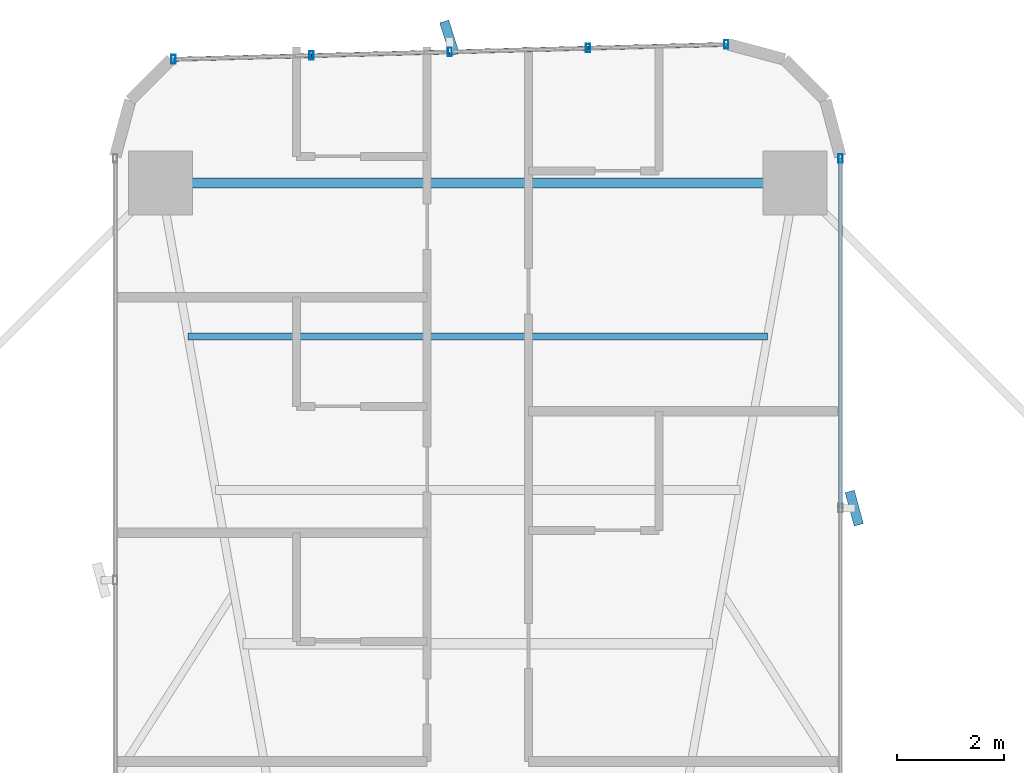
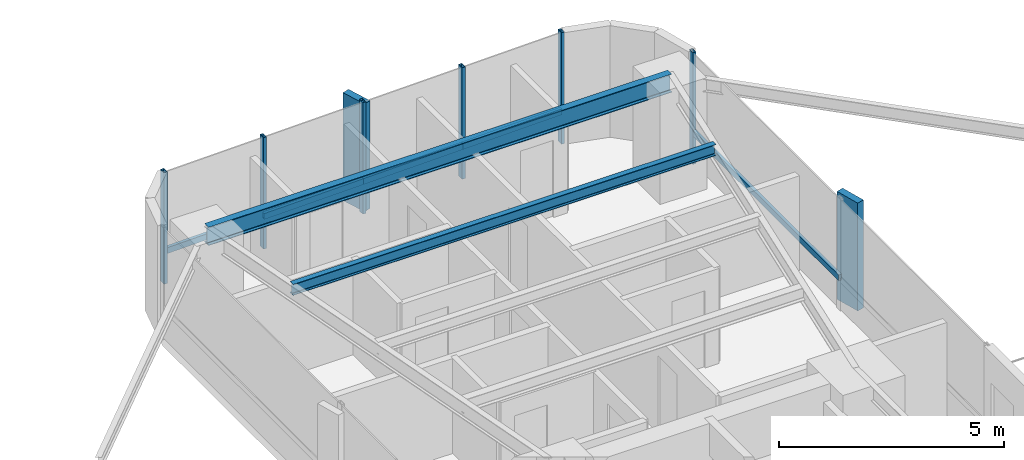
# One storey, part 19 of 25: 13 members, 2 beams, 2 elements without a shape of their own.
"""IFC4 building model written with IfcOpenShell, lengths in metres."""

from ifc_helpers import new_model, si_unit, direction, frame, origin, origin_2d, place, context, subcontext, project, spatial, rectangle, hollow_rectangle, i_section, extrude, source, transform, mapped, material, material_profile, profile_set, type_object, element, aggregate, save


model = new_model("IFC4")

# Units and contexts
model_context = context("Model", 3, precision=1e-05, world=origin(), true_north=direction((0.0, 1.0)))
body_context = subcontext(model_context, "Body", "Model", "MODEL_VIEW")
ifc_project = project(units=[si_unit("LENGTHUNIT", "METRE"), si_unit("AREAUNIT", "SQUARE_METRE"), si_unit("VOLUMEUNIT", "CUBIC_METRE"), si_unit("PLANEANGLEUNIT", "RADIAN"), si_unit("MASSUNIT", "GRAM", prefix="KILO")], contexts=[model_context])

# Site, building, storey
site_placement = place(None, origin())
site = spatial("IfcSite", under=ifc_project, at=site_placement, CompositionType="ELEMENT")
building_placement = place(site_placement, origin())
building = spatial("IfcBuilding", under=site, at=building_placement, Name="Sahyath Konkavel Grand Hotel", CompositionType="ELEMENT")
storey_placement = place(building_placement, frame((0.0, 0.0, 71.14990234375)))
storey = spatial("IfcBuildingStorey", under=building, at=storey_placement, Name="L19", CompositionType="ELEMENT", Elevation=71.14990234375)

# Beams
ifc_material_1 = material(Name="Steel E350", Category="steel")
ifc_material_profile_1 = material_profile(ifc_material_1, i_section(OverallWidth=0.179931640625, OverallDepth=0.5, WebThickness=0.01025390625, FlangeThickness=0.01708984375, FilletRadius=0.01708984375, at=origin_2d()), Name="ISMB 500")
ifc_profile_set_1 = profile_set([ifc_material_profile_1], Name="Steel E350")
beam_type_1 = type_object("IfcBeamType", Name="BM-ISMB500", PredefinedType="BEAM", material=ifc_profile_set_1)
shared_shape_1 = source(origin(), body_context, "Body", "SweptSolid", [
    extrude(i_section(OverallWidth=0.179931640625, OverallDepth=0.5, WebThickness=0.01025390625, FlangeThickness=0.01708984375, FilletRadius=0.01708984375, at=origin_2d()), origin(), (0.0, 0.0, 1.0), 11.89990234375),
])
beam_1_placement = place(storey_placement, frame((5.949951171875, 22.199951171875, 2.780029296875), z_axis=(-1.0, 0.0, 0.0), x_axis=(0.0, -1.0, 0.0)))
element("IfcBeam", 1, at=beam_1_placement, inside=storey, type_object=beam_type_1, Name="L19 Wing Tip Edge Beam N", PredefinedType="BEAM", context=body_context, shape_type="MappedRepresentation", body=[
    mapped(shared_shape_1, transform((0.0, 0.0, 0.0), scale=1.0)),
])
ifc_material_profile_2 = material_profile(ifc_material_1, i_section(OverallWidth=0.139892578125, OverallDepth=0.300048828125, WebThickness=0.0078125, FlangeThickness=0.01318359375, FilletRadius=0.013916015625, at=origin_2d()), Name="ISMB 300")
ifc_profile_set_2 = profile_set([ifc_material_profile_2], Name="Steel E350")
beam_type_2 = type_object("IfcBeamType", Name="BM-ISMB300", PredefinedType="BEAM", material=ifc_profile_set_2)
shared_shape_2 = source(origin(), body_context, "Body", "SweptSolid", [
    extrude(i_section(OverallWidth=0.139892578125, OverallDepth=0.300048828125, WebThickness=0.0078125, FlangeThickness=0.01318359375, FilletRadius=0.013916015625, at=origin_2d()), origin(), (0.0, 0.0, 1.0), 10.8681640625),
])
beam_2_placement = place(storey_placement, frame((5.43408203125, 19.320068359375, 2.880126953125), z_axis=(-1.0, 0.0, 0.0), x_axis=(0.0, -1.0, 0.0)))
element("IfcBeam", 2, at=beam_2_placement, inside=storey, type_object=beam_type_2, Name="L19 Secondary Floor Beam N-3", PredefinedType="BEAM", context=body_context, shape_type="MappedRepresentation", body=[
    mapped(shared_shape_2, transform((0.0, 0.0, 0.0), scale=1.0)),
])

# Curtain wall, members
ifc_material_2 = material(Name="Anodised Bronze Aluminium & Low-E Glazing", Category="aluminium")
curtain_wall_type = type_object("IfcCurtainWallType", Name="CW-ZONE1", PredefinedType="NOTDEFINED", material=ifc_material_2)
curtain_wall_1_placement = place(storey_placement, origin())
curtain_wall_1 = element("IfcCurtainWall", 3, at=curtain_wall_1_placement, inside=storey, type_object=curtain_wall_type, Name="L19 Unitised Curtain Wall F12", PredefinedType="NOTDEFINED")
ifc_material_3 = material(Name="Anodised Bronze Aluminium", Category="aluminium")
ifc_material_profile_3 = material_profile(ifc_material_3, hollow_rectangle(XDim=0.080078125, YDim=0.159912109375, WallThickness=0.006103515625, at=origin_2d()), Name="RHS 160x80x6")
ifc_profile_set_3 = profile_set([ifc_material_profile_3], Name="Anodised Bronze Aluminium")
member_type_1 = type_object("IfcMemberType", Name="CW-TRN-160", PredefinedType="USERDEFINED", material=ifc_profile_set_3)
shared_shape_3 = source(origin(), body_context, "Body", "SweptSolid", [
    extrude(hollow_rectangle(XDim=0.080078125, YDim=0.159912109375, WallThickness=0.006103515625, at=origin_2d()), origin(), (0.0, 0.0, 1.0), 2.593505859375),
])
member_1_placement = place(storey_placement, frame((4.659912109375, 24.798828125, 0.85009765625), z_axis=(-0.999637507825, -0.026923093252, 0.0), x_axis=(0.026923093252, -0.999637507825, 0.0)))
member_1 = element("IfcMember", 4, at=member_1_placement, type_object=member_type_1, Name="L19 Curtain Wall Transom F12-0-spandrel", ObjectType="TRANSOM", PredefinedType="USERDEFINED", context=body_context, shape_type="MappedRepresentation", body=[
    mapped(shared_shape_3, transform((0.0, 0.0, 0.0), scale=1.0)),
])
member_2_placement = place(storey_placement, frame((-0.52490234375, 24.6591796875, 0.85009765625), z_axis=(-0.999640036937, -0.02682902444, 0.0), x_axis=(0.02682902444, -0.999640036937, 0.0)))
member_2 = element("IfcMember", 5, at=member_2_placement, type_object=member_type_1, Name="L19 Curtain Wall Transom F12-2-spandrel", ObjectType="TRANSOM", PredefinedType="USERDEFINED", context=body_context, shape_type="MappedRepresentation", body=[
    mapped(shared_shape_3, transform((0.0, 0.0, 0.0), scale=1.0)),
])
member_3_placement = place(storey_placement, frame((-3.117431640625, 24.589599609375, 0.85009765625), z_axis=(-0.999637507825, -0.026923093252, 0.0), x_axis=(0.026923093252, -0.999637507825, 0.0)))
member_3 = element("IfcMember", 6, at=member_3_placement, type_object=member_type_1, Name="L19 Curtain Wall Transom F12-3-spandrel", ObjectType="TRANSOM", PredefinedType="USERDEFINED", context=body_context, shape_type="MappedRepresentation", body=[
    mapped(shared_shape_3, transform((0.0, 0.0, 0.0), scale=1.0)),
])
shared_shape_4 = source(origin(), body_context, "Body", "SweptSolid", [
    extrude(hollow_rectangle(XDim=0.080078125, YDim=0.159912109375, WallThickness=0.006103515625, at=origin_2d()), origin(), (0.0, 0.0, 1.0), 2.59326171875),
])
member_4_placement = place(storey_placement, frame((2.0673828125, 24.72900390625, 0.85009765625), z_axis=(-0.99963743958, -0.026925627022, 0.0), x_axis=(0.026925627022, -0.99963743958, 0.0)))
member_4 = element("IfcMember", 7, at=member_4_placement, type_object=member_type_1, Name="L19 Curtain Wall Transom F12-1-spandrel", ObjectType="TRANSOM", PredefinedType="USERDEFINED", context=body_context, shape_type="MappedRepresentation", body=[
    mapped(shared_shape_4, transform((0.0, 0.0, 0.0), scale=1.0)),
])

curtain_wall_2_placement = place(storey_placement, origin())
curtain_wall_2 = element("IfcCurtainWall", 8, at=curtain_wall_2_placement, inside=storey, type_object=curtain_wall_type, Name="L19 Unitised Curtain Wall F8", PredefinedType="NOTDEFINED")
shared_shape_5 = source(origin(), body_context, "Body", "SweptSolid", [
    extrude(hollow_rectangle(XDim=0.080078125, YDim=0.159912109375, WallThickness=0.006103515625, at=origin_2d()), origin(), (0.0, 0.0, 1.0), 6.559814453125),
])
member_5_placement = place(storey_placement, frame((6.800048828125, 16.10009765625, 0.85009765625), z_axis=(0.0, 1.0, 0.0), x_axis=(-1.0, 0.0, 0.0)))
member_5 = element("IfcMember", 9, at=member_5_placement, type_object=member_type_1, Name="L19 Curtain Wall Transom F8-1-spandrel", ObjectType="TRANSOM", PredefinedType="USERDEFINED", context=body_context, shape_type="MappedRepresentation", body=[
    mapped(shared_shape_5, transform((0.0, 0.0, 0.0), scale=1.0)),
])
ifc_material_profile_4 = material_profile(ifc_material_3, hollow_rectangle(XDim=0.080078125, YDim=0.159912109375, WallThickness=0.006103515625, at=origin_2d()), Name="RHS 160x80x6")
ifc_profile_set_4 = profile_set([ifc_material_profile_4], Name="Anodised Bronze Aluminium")
member_type_2 = type_object("IfcMemberType", Name="CW-MUL-160", PredefinedType="MULLION", material=ifc_profile_set_4)
shared_shape_6 = source(origin(), body_context, "Body", "SweptSolid", [
    extrude(hollow_rectangle(XDim=0.080078125, YDim=0.159912109375, WallThickness=0.006103515625, at=origin_2d()), origin(), (0.0, 0.0, 1.0), 3.030029296875),
])
member_6_placement = place(storey_placement, frame((6.800048828125, 22.659912109375, 0.0), z_axis=(0.0, 0.0, 1.0), x_axis=(1.0, 0.0, 0.0)))
member_6 = element("IfcMember", 10, at=member_6_placement, type_object=member_type_2, Name="L19 Curtain Wall Mullion F8-2", PredefinedType="MULLION", context=body_context, shape_type="MappedRepresentation", body=[
    mapped(shared_shape_6, transform((0.0, 0.0, 0.0), scale=1.0)),
])

# Member
member_7_placement = place(storey_placement, frame((4.659912109375, 24.798828125, 0.0), z_axis=(0.0, 0.0, 1.0), x_axis=(1.0, 0.0, 0.0)))
member_7 = element("IfcMember", 11, at=member_7_placement, type_object=member_type_2, Name="L19 Curtain Wall Mullion F12-0", PredefinedType="MULLION", context=body_context, shape_type="MappedRepresentation", body=[
    mapped(shared_shape_6, transform((0.0, 0.0, 0.0), scale=1.0)),
])

member_8_placement = place(storey_placement, frame((2.0673828125, 24.72900390625, 0.0), z_axis=(0.0, 0.0, 1.0), x_axis=(1.0, 0.0, 0.0)))
member_8 = element("IfcMember", 12, at=member_8_placement, type_object=member_type_2, Name="L19 Curtain Wall Mullion F12-1", PredefinedType="MULLION", context=body_context, shape_type="MappedRepresentation", body=[
    mapped(shared_shape_6, transform((0.0, 0.0, 0.0), scale=1.0)),
])

member_9_placement = place(storey_placement, frame((-0.52490234375, 24.6591796875, 0.0), z_axis=(0.0, 0.0, 1.0), x_axis=(1.0, 0.0, 0.0)))
member_9 = element("IfcMember", 13, at=member_9_placement, type_object=member_type_2, Name="L19 Curtain Wall Mullion F12-2", PredefinedType="MULLION", context=body_context, shape_type="MappedRepresentation", body=[
    mapped(shared_shape_6, transform((0.0, 0.0, 0.0), scale=1.0)),
])

member_10_placement = place(storey_placement, frame((-3.117431640625, 24.589599609375, 0.0), z_axis=(0.0, 0.0, 1.0), x_axis=(1.0, 0.0, 0.0)))
member_10 = element("IfcMember", 14, at=member_10_placement, type_object=member_type_2, Name="L19 Curtain Wall Mullion F12-3", PredefinedType="MULLION", context=body_context, shape_type="MappedRepresentation", body=[
    mapped(shared_shape_6, transform((0.0, 0.0, 0.0), scale=1.0)),
])

member_11_placement = place(storey_placement, frame((-5.7099609375, 24.519775390625, 0.0), z_axis=(0.0, 0.0, 1.0), x_axis=(1.0, 0.0, 0.0)))
member_11 = element("IfcMember", 15, at=member_11_placement, type_object=member_type_2, Name="L19 Curtain Wall Mullion F12-4", PredefinedType="MULLION", context=body_context, shape_type="MappedRepresentation", body=[
    mapped(shared_shape_6, transform((0.0, 0.0, 0.0), scale=1.0)),
])

ifc_material_4 = material(Name="Warm Buff Sandstone Cladding on Concrete C50/60", Category="masonry")
ifc_material_profile_5 = material_profile(ifc_material_4, rectangle(XDim=0.179931640625, YDim=0.64990234375, at=origin_2d()), Name="FIN 180x650")
ifc_profile_set_5 = profile_set([ifc_material_profile_5], Name="Warm Buff Sandstone Cladding on Concrete C50/60")
member_type_3 = type_object("IfcMemberType", Name="FIN-SANDSTONE-650", PredefinedType="MULLION", material=ifc_profile_set_5)
shared_shape_7 = source(origin(), body_context, "Body", "SweptSolid", [
    extrude(rectangle(XDim=0.179931640625, YDim=0.64990234375, at=origin_2d()), origin(), (0.0, 0.0, 1.0), 2.929931640625),
])
member_12_placement = place(storey_placement, frame((7.06005859375, 16.10009765625, 0.050048828125), z_axis=(0.0, 0.0, 1.0), x_axis=(0.965016494472, 0.262189178641, 0.0)))
member_12 = element("IfcMember", 16, at=member_12_placement, type_object=member_type_3, Name="L19 Sandstone Vertical Solar Fin FIN F8-1", PredefinedType="MULLION", context=body_context, shape_type="MappedRepresentation", body=[
    mapped(shared_shape_7, transform((0.0, 0.0, 0.0), scale=1.0)),
])

aggregate(curtain_wall_2, [member_12, member_6, member_5])

member_13_placement = place(storey_placement, frame((-0.531982421875, 24.919189453125, 0.050048828125), z_axis=(0.0, 0.0, 1.0), x_axis=(0.953348857629, 0.301870759858, 0.0)))
member_13 = element("IfcMember", 17, at=member_13_placement, type_object=member_type_3, Name="L19 Sandstone Vertical Solar Fin FIN F12-2", PredefinedType="MULLION", context=body_context, shape_type="MappedRepresentation", body=[
    mapped(shared_shape_7, transform((0.0, 0.0, 0.0), scale=1.0)),
])

aggregate(curtain_wall_1, [member_7, member_8, member_9, member_13, member_10, member_11, member_1, member_4, member_2, member_3])

save(model, "model.ifc")
